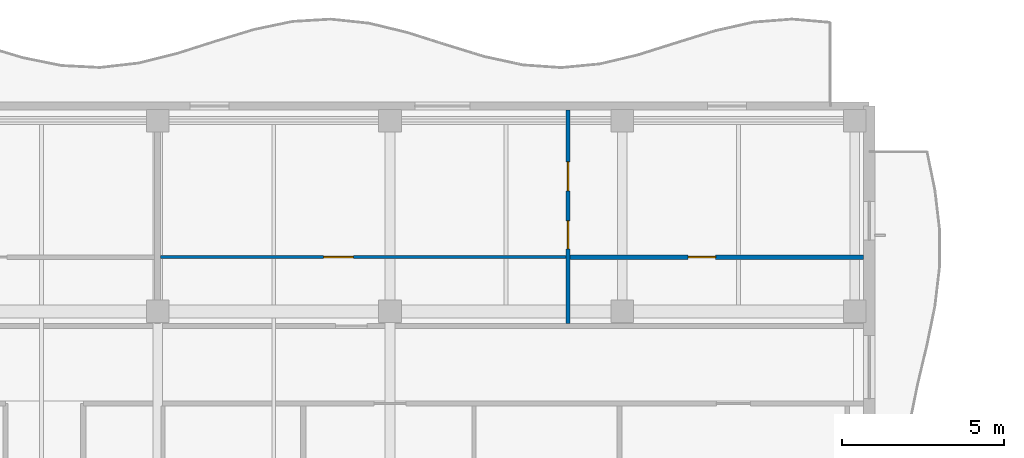
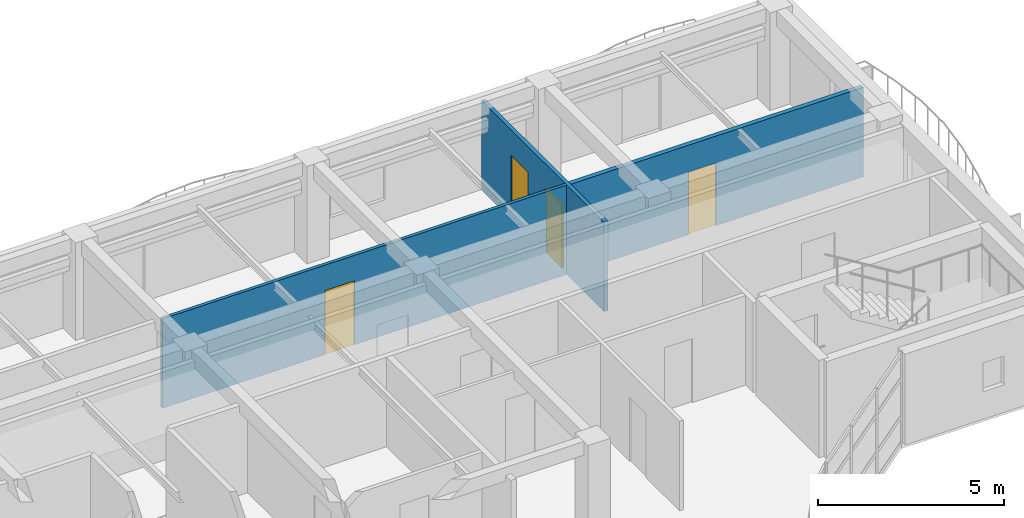
# One storey, part 57 of 89: 4 doors, 3 walls, 4 openings.
"""IFC4 building model written with IfcOpenShell, lengths in metres."""

from ifc_helpers import new_model, si_unit, direction, frame, frame_2d, origin, place, context, subcontext, project, spatial, rectangle, extrude, material, layer, layer_set, type_object, element, fill, save


model = new_model("IFC4")

# Units and contexts
model_context = context("Model", 3, precision=1e-05, world=origin(), true_north=direction((0.0, 1.0)))
body_context = subcontext(model_context, "Body", "Model", "MODEL_VIEW")
ifc_project = project(units=[si_unit("LENGTHUNIT", "METRE"), si_unit("AREAUNIT", "SQUARE_METRE"), si_unit("VOLUMEUNIT", "CUBIC_METRE"), si_unit("PLANEANGLEUNIT", "RADIAN"), si_unit("MASSUNIT", "GRAM", prefix="KILO")], contexts=[model_context])

# Site, building, storey
site_placement = place(None, origin())
site = spatial("IfcSite", under=ifc_project, at=site_placement, CompositionType="ELEMENT")
building_placement = place(site_placement, origin())
building = spatial("IfcBuilding", under=site, at=building_placement, Name="Keldmere Railside Commons", CompositionType="ELEMENT")
storey_placement = place(building_placement, frame((0.0, 0.0, 7.360107421875)))
storey = spatial("IfcBuildingStorey", under=building, at=storey_placement, Name="L02", CompositionType="ELEMENT", Elevation=7.360107421875)

# Wall, openings, doors
ifc_material_1 = material(Name="Acoustic Gypsum Board Partition", Category="gypsum")
ifc_layer_1 = layer(ifc_material_1, 0.1201171875, Name="Apartment Interior Partition 120")
ifc_layer_set_1 = layer_set([ifc_layer_1], Name="Acoustic Gypsum Board Partition")
wall_type_1 = type_object("IfcWallType", Name="Apartment Interior Partition 120", PredefinedType="PARTITIONING", material=ifc_layer_set_1)
wall_1_placement = place(storey_placement, frame((128.18994140625, 109.280029296875, 0.0), z_axis=(0.0, 0.0, 1.0), x_axis=(0.0, 1.0, 0.0)))
wall_1 = element("IfcWall", 1, at=wall_1_placement, inside=storey, type_object=wall_type_1, Name="IW-4 IW-L02-0995", PredefinedType="PARTITIONING", context=body_context, shape_type="SweptSolid", body=[
    extrude(rectangle(XDim=6.590087890625, YDim=0.1201171875, at=frame_2d((3.294921875, 0.0))), origin(), (0.0, 0.0, 1.0), 2.934814453125),
])
opening_1_placement = place(wall_1_placement, frame((2.305908203125, 0.0, 0.0)))
opening_1 = element("IfcOpeningElement", 2, at=opening_1_placement, cuts=wall_1, Name="Opening ID-04", PredefinedType="OPENING", context=body_context, shape_type="SweptSolid", body=[
    extrude(rectangle(XDim=0.860107421875, YDim=2.10009765625, at=frame_2d((0.43017578125, 1.050048828125))), frame((0.0, 0.070068359375, 0.0), z_axis=(0.0, -1.0, 0.0), x_axis=(1.0, 0.0, 0.0)), (0.0, 0.0, 1.0), 0.14013671875),
])
opening_2_placement = place(wall_1_placement, frame((4.093017578125, 0.0, 0.0)))
opening_2 = element("IfcOpeningElement", 3, at=opening_2_placement, cuts=wall_1, Name="Opening ID-01", PredefinedType="OPENING", context=body_context, shape_type="SweptSolid", body=[
    extrude(rectangle(XDim=0.89990234375, YDim=2.10009765625, at=frame_2d((0.449951171875, 1.050048828125))), frame((0.0, 0.070068359375, 0.0), z_axis=(0.0, -1.0, 0.0), x_axis=(1.0, 0.0, 0.0)), (0.0, 0.0, 1.0), 0.14013671875),
])
ifc_material_2 = material(Name="Engineered Oak Timber", Category="wood")
door_type_1 = type_object("IfcDoorType", Name="Apartment Bathroom Door 860x2100", OperationType="NOTDEFINED", PredefinedType="DOOR", material=ifc_material_2)
door_1_placement = place(opening_1_placement, origin())
door_1 = element("IfcDoor", 4, at=door_1_placement, inside=storey, type_object=door_type_1, Name="ID-04 IDR-L02-0868", OperationType="SINGLE_SWING_RIGHT", OverallHeight=2.10009765625, OverallWidth=0.860107421875, PredefinedType="DOOR", context=body_context, shape_type="SweptSolid", body=[
    extrude(rectangle(XDim=0.860107421875, YDim=2.10009765625, at=frame_2d((0.43017578125, 1.050048828125))), frame((0.0, 0.02490234375, 0.0), z_axis=(0.0, -1.0, 0.0), x_axis=(1.0, 0.0, 0.0)), (0.0, 0.0, 1.0), 0.050048828125),
])
fill(opening_1, door_1)
door_type_2 = type_object("IfcDoorType", Name="Primary Bedroom Door 900x2100", OperationType="NOTDEFINED", PredefinedType="DOOR", material=ifc_material_2)
door_2_placement = place(opening_2_placement, origin())
door_2 = element("IfcDoor", 5, at=door_2_placement, inside=storey, type_object=door_type_2, Name="ID-01 IDR-L02-0869", OperationType="SINGLE_SWING_LEFT", OverallHeight=2.10009765625, OverallWidth=0.89990234375, PredefinedType="DOOR", context=body_context, shape_type="SweptSolid", body=[
    extrude(rectangle(XDim=0.89990234375, YDim=2.10009765625, at=frame_2d((0.449951171875, 1.050048828125))), frame((0.0, 0.02490234375, 0.0), z_axis=(0.0, -1.0, 0.0), x_axis=(1.0, 0.0, 0.0)), (0.0, 0.0, 1.0), 0.050048828125),
])
fill(opening_2, door_2)

# Wall, opening, door
ifc_layer_2 = layer(ifc_material_1, 0.10009765625, Name="Closet Light Partition 100")
ifc_layer_set_2 = layer_set([ifc_layer_2], Name="Acoustic Gypsum Board Partition")
wall_type_2 = type_object("IfcWallType", Name="Closet Light Partition 100", PredefinedType="PARTITIONING", material=ifc_layer_set_2)
wall_2_placement = place(storey_placement, frame((115.590087890625, 111.330078125, 0.0), z_axis=(0.0, 0.0, 1.0), x_axis=(1.0, 0.0, 0.0)))
wall_2 = element("IfcWall", 6, at=wall_2_placement, inside=storey, type_object=wall_type_2, Name="IW-6 IW-L02-0997", PredefinedType="PARTITIONING", context=body_context, shape_type="SweptSolid", body=[
    extrude(rectangle(XDim=12.539794921875, YDim=0.10009765625, at=frame_2d((6.27001953125, 0.0))), origin(), (0.0, 0.0, 1.0), 2.934814453125),
])
opening_3_placement = place(wall_2_placement, frame((5.0400390625, 0.0, 0.0)))
opening_3 = element("IfcOpeningElement", 7, at=opening_3_placement, cuts=wall_2, Name="Opening ID-03", PredefinedType="OPENING", context=body_context, shape_type="SweptSolid", body=[
    extrude(rectangle(XDim=0.919921875, YDim=2.10009765625, at=frame_2d((0.4599609375, 1.050048828125))), frame((0.0, 0.06005859375, 0.0), z_axis=(0.0, -1.0, 0.0), x_axis=(1.0, 0.0, 0.0)), (0.0, 0.0, 1.0), 0.1201171875),
])
door_type_3 = type_object("IfcDoorType", Name="Kitchen Pocket-Frame Swing Door 920x2100", OperationType="NOTDEFINED", PredefinedType="DOOR", material=ifc_material_2)
door_3_placement = place(opening_3_placement, origin())
door_3 = element("IfcDoor", 8, at=door_3_placement, inside=storey, type_object=door_type_3, Name="ID-03 IDR-L02-0867", OperationType="SINGLE_SWING_LEFT", OverallHeight=2.10009765625, OverallWidth=0.919921875, PredefinedType="DOOR", context=body_context, shape_type="SweptSolid", body=[
    extrude(rectangle(XDim=0.919921875, YDim=2.10009765625, at=frame_2d((0.4599609375, 1.050048828125))), frame((0.0, 0.02490234375, 0.0), z_axis=(0.0, -1.0, 0.0), x_axis=(1.0, 0.0, 0.0)), (0.0, 0.0, 1.0), 0.050048828125),
])
fill(opening_3, door_3)

ifc_layer_3 = layer(ifc_material_1, 0.139892578125, Name="Wet-Room Sanitary Partition 140")
ifc_layer_set_3 = layer_set([ifc_layer_3], Name="Acoustic Gypsum Board Partition")
wall_type_3 = type_object("IfcWallType", Name="Wet-Room Sanitary Partition 140", PredefinedType="PARTITIONING", material=ifc_layer_set_3)
wall_3_placement = place(storey_placement, frame((128.25, 111.330078125, 0.0), z_axis=(0.0, 0.0, 1.0), x_axis=(1.0, 0.0, 0.0)))
wall_3 = element("IfcWall", 9, at=wall_3_placement, inside=storey, type_object=wall_type_3, Name="IW-5 IW-L02-0996", PredefinedType="PARTITIONING", context=body_context, shape_type="SweptSolid", body=[
    extrude(rectangle(XDim=9.070068359375, YDim=0.139892578125, at=frame_2d((4.53515625, 0.0))), origin(), (0.0, 0.0, 1.0), 2.934814453125),
])
opening_4_placement = place(wall_3_placement, frame((3.652099609375, 0.0, 0.0)))
opening_4 = element("IfcOpeningElement", 10, at=opening_4_placement, cuts=wall_3, Name="Opening ID-06", PredefinedType="OPENING", context=body_context, shape_type="SweptSolid", body=[
    extrude(rectangle(XDim=0.85009765625, YDim=2.050048828125, at=frame_2d((0.425048828125, 1.02490234375))), frame((0.0, 0.079833984375, 0.0), z_axis=(0.0, -1.0, 0.0), x_axis=(1.0, 0.0, 0.0)), (0.0, 0.0, 1.0), 0.159912109375),
])
door_type_4 = type_object("IfcDoorType", Name="Storage Closet Door 850x2050", OperationType="NOTDEFINED", PredefinedType="DOOR", material=ifc_material_2)
door_4_placement = place(opening_4_placement, origin())
door_4 = element("IfcDoor", 11, at=door_4_placement, inside=storey, type_object=door_type_4, Name="ID-06 IDR-L02-0870", OperationType="SINGLE_SWING_RIGHT", OverallHeight=2.050048828125, OverallWidth=0.85009765625, PredefinedType="DOOR", context=body_context, shape_type="SweptSolid", body=[
    extrude(rectangle(XDim=0.85009765625, YDim=2.050048828125, at=frame_2d((0.425048828125, 1.02490234375))), frame((0.0, 0.02490234375, 0.0), z_axis=(0.0, -1.0, 0.0), x_axis=(1.0, 0.0, 0.0)), (0.0, 0.0, 1.0), 0.050048828125),
])
fill(opening_4, door_4)

save(model, "model.ifc")
